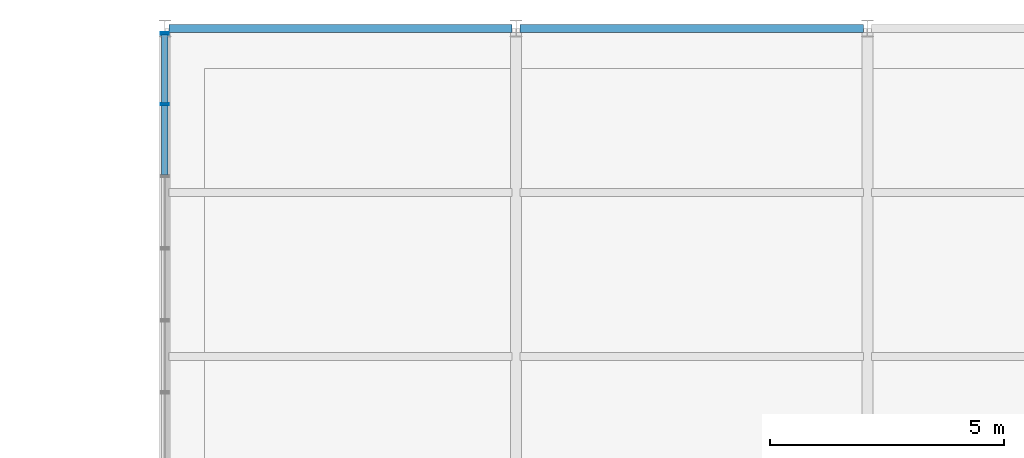
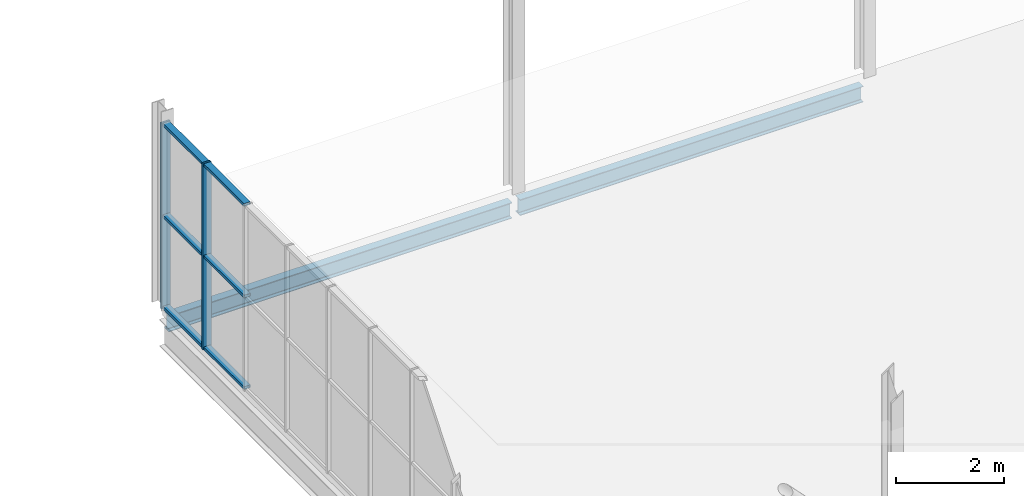
# One storey, part 43 of 104: 8 members, 2 beams, 1 element without a shape of its own.
"""IFC4 building model written with IfcOpenShell, lengths in metres."""

from ifc_helpers import new_model, si_unit, direction, frame, origin, origin_2d, place, context, subcontext, project, spatial, hollow_rectangle, i_section, extrude, material, layer, layer_set, material_profile, profile_set, type_object, element, aggregate, save


model = new_model("IFC4")

# Units and contexts
model_context = context("Model", 3, precision=1e-05, world=origin(), true_north=direction((0.0, 1.0)))
body_context = subcontext(model_context, "Body", "Model", "MODEL_VIEW")
ifc_project = project(units=[si_unit("LENGTHUNIT", "METRE"), si_unit("AREAUNIT", "SQUARE_METRE"), si_unit("VOLUMEUNIT", "CUBIC_METRE"), si_unit("PLANEANGLEUNIT", "RADIAN"), si_unit("MASSUNIT", "GRAM", prefix="KILO")], contexts=[model_context])

# Site, building, storey
site_placement = place(None, origin())
site = spatial("IfcSite", under=ifc_project, at=site_placement, CompositionType="ELEMENT")
building_placement = place(site_placement, origin())
building = spatial("IfcBuilding", under=site, at=building_placement, Name="Solvenia Promenade Tram Depot", CompositionType="ELEMENT")
storey_placement = place(building_placement, frame((0.0, 0.0, 9.0)))
storey = spatial("IfcBuildingStorey", under=building, at=storey_placement, Name="L02", CompositionType="ELEMENT", Elevation=9.0)

# Curtain wall, members
ifc_material_1 = material(Name="Anodized aluminium AW-6063 T6", Category="aluminium")
ifc_layer = layer(ifc_material_1, 0.14990234375, Name="Anodized aluminium AW-6063 T6", Category="aluminium")
ifc_layer_set = layer_set([ifc_layer], Name="Anodized aluminium AW-6063 T6")
curtain_wall_type = type_object("IfcCurtainWallType", Name="CW-Court-1500", PredefinedType="NOTDEFINED", material=ifc_layer_set)
curtain_wall_placement = place(storey_placement, origin())
curtain_wall = element("IfcCurtainWall", 1, at=curtain_wall_placement, inside=storey, type_object=curtain_wall_type, Name="Curtain Wall CW-V2W-L2-2", PredefinedType="NOTDEFINED")
ifc_material_profile_1 = material_profile(ifc_material_1, hollow_rectangle(XDim=0.179931640625, YDim=0.050048828125, WallThickness=0.00390625, at=origin_2d()), Name="ALU-M2", Category="aluminium")
ifc_profile_set_1 = profile_set([ifc_material_profile_1], Name="Anodized aluminium AW-6063 T6")
member_type_1 = type_object("IfcMemberType", Name="CWM-Mullion-2", PredefinedType="MULLION", material=ifc_profile_set_1)
member_1_placement = place(storey_placement, frame((105.0, 64.38232421875, 0.0), z_axis=(0.0, 0.0, 1.0), x_axis=(-1.0, 0.0, 0.0)))
member_1 = element("IfcMember", 2, at=member_1_placement, type_object=member_type_1, Name="CW-5 mullion 9", PredefinedType="MULLION", context=body_context, shape_type="SweptSolid", body=[
    extrude(hollow_rectangle(XDim=0.179931640625, YDim=0.050048828125, WallThickness=0.00390625, at=origin_2d()), origin(), (0.0, 0.0, 1.0), 4.199951171875),
])
member_2_placement = place(storey_placement, frame((105.0, 65.89501953125, 0.0), z_axis=(0.0, 0.0, 1.0), x_axis=(-1.0, 0.0, 0.0)))
member_2 = element("IfcMember", 3, at=member_2_placement, type_object=member_type_1, Name="CW-5 mullion 10", PredefinedType="MULLION", context=body_context, shape_type="SweptSolid", body=[
    extrude(hollow_rectangle(XDim=0.179931640625, YDim=0.050048828125, WallThickness=0.00390625, at=origin_2d()), origin(), (0.0, 0.0, 1.0), 4.199951171875),
])
ifc_material_profile_2 = material_profile(ifc_material_1, hollow_rectangle(XDim=0.139892578125, YDim=0.06494140625, WallThickness=0.00390625, at=origin_2d()), Name="ALU-T2", Category="aluminium")
ifc_profile_set_2 = profile_set([ifc_material_profile_2], Name="Anodized aluminium AW-6063 T6")
member_type_2 = type_object("IfcMemberType", Name="CWT-Transom-2", PredefinedType="USERDEFINED", material=ifc_profile_set_2)
member_3_placement = place(storey_placement, frame((105.0, 62.869384765625, 0.032470703125), z_axis=(0.0, 1.0, 0.0), x_axis=(-1.0, 0.0, 0.0)))
member_3 = element("IfcMember", 4, at=member_3_placement, type_object=member_type_2, Name="CW-5 transom 8.1", ObjectType="TRANSOM", PredefinedType="USERDEFINED", context=body_context, shape_type="SweptSolid", body=[
    extrude(hollow_rectangle(XDim=0.139892578125, YDim=0.06494140625, WallThickness=0.00390625, at=origin_2d()), origin(), (0.0, 0.0, 1.0), 1.48779296875),
])
member_4_placement = place(storey_placement, frame((105.0, 62.869384765625, 2.10009765625), z_axis=(0.0, 1.0, 0.0), x_axis=(-1.0, 0.0, 0.0)))
member_4 = element("IfcMember", 5, at=member_4_placement, type_object=member_type_2, Name="CW-5 transom 8.2", ObjectType="TRANSOM", PredefinedType="USERDEFINED", context=body_context, shape_type="SweptSolid", body=[
    extrude(hollow_rectangle(XDim=0.139892578125, YDim=0.06494140625, WallThickness=0.00390625, at=origin_2d()), origin(), (0.0, 0.0, 1.0), 1.48779296875),
])
member_5_placement = place(storey_placement, frame((105.0, 62.869384765625, 4.16748046875), z_axis=(0.0, 1.0, 0.0), x_axis=(-1.0, 0.0, 0.0)))
member_5 = element("IfcMember", 6, at=member_5_placement, type_object=member_type_2, Name="CW-5 transom 8.3", ObjectType="TRANSOM", PredefinedType="USERDEFINED", context=body_context, shape_type="SweptSolid", body=[
    extrude(hollow_rectangle(XDim=0.139892578125, YDim=0.06494140625, WallThickness=0.00390625, at=origin_2d()), origin(), (0.0, 0.0, 1.0), 1.48779296875),
])
member_6_placement = place(storey_placement, frame((105.0, 64.4072265625, 0.032470703125), z_axis=(0.0, 1.0, 0.0), x_axis=(-1.0, 0.0, 0.0)))
member_6 = element("IfcMember", 7, at=member_6_placement, type_object=member_type_2, Name="CW-5 transom 9.1", ObjectType="TRANSOM", PredefinedType="USERDEFINED", context=body_context, shape_type="SweptSolid", body=[
    extrude(hollow_rectangle(XDim=0.139892578125, YDim=0.06494140625, WallThickness=0.00390625, at=origin_2d()), origin(), (0.0, 0.0, 1.0), 1.462890625),
])
member_7_placement = place(storey_placement, frame((105.0, 64.4072265625, 2.10009765625), z_axis=(0.0, 1.0, 0.0), x_axis=(-1.0, 0.0, 0.0)))
member_7 = element("IfcMember", 8, at=member_7_placement, type_object=member_type_2, Name="CW-5 transom 9.2", ObjectType="TRANSOM", PredefinedType="USERDEFINED", context=body_context, shape_type="SweptSolid", body=[
    extrude(hollow_rectangle(XDim=0.139892578125, YDim=0.06494140625, WallThickness=0.00390625, at=origin_2d()), origin(), (0.0, 0.0, 1.0), 1.462890625),
])
member_8_placement = place(storey_placement, frame((105.0, 64.4072265625, 4.16748046875), z_axis=(0.0, 1.0, 0.0), x_axis=(-1.0, 0.0, 0.0)))
member_8 = element("IfcMember", 9, at=member_8_placement, type_object=member_type_2, Name="CW-5 transom 9.3", ObjectType="TRANSOM", PredefinedType="USERDEFINED", context=body_context, shape_type="SweptSolid", body=[
    extrude(hollow_rectangle(XDim=0.139892578125, YDim=0.06494140625, WallThickness=0.00390625, at=origin_2d()), origin(), (0.0, 0.0, 1.0), 1.462890625),
])
aggregate(curtain_wall, [member_1, member_2, member_3, member_4, member_5, member_6, member_7, member_8])

# Beams
ifc_material_2 = material(Name="Structural steel ASTM A992 Gr. 50", Category="steel")
ifc_material_profile_3 = material_profile(ifc_material_2, i_section(OverallWidth=0.172119140625, OverallDepth=0.35791015625, WebThickness=0.0078125, FlangeThickness=0.01318359375, FilletRadius=0.010986328125, at=origin_2d()), Name="W360x57", Category="steel")
ifc_profile_set_3 = profile_set([ifc_material_profile_3], Name="Structural steel ASTM A992 Gr. 50")
beam_type = type_object("IfcBeamType", Name="Spandrel-W360x57", PredefinedType="SPANDREL", material=ifc_profile_set_3)
for number, where, z_axis, x_axis, name in (
    (10, (105.0849609375, 66.0, -0.4189453125), (1.0, 0.0, 0.0), (0.0, 1.0, 0.0), "Perimeter Spandrel BM-L02-0462"),
    (11, (112.5849609375, 66.0, -0.4189453125), (1.0, 0.0, 0.0), (0.0, 1.0, 0.0), "Perimeter Spandrel BM-L02-0463"),
):
    element("IfcBeam", number, at=place(storey_placement, frame(where, z_axis=z_axis, x_axis=x_axis)), inside=storey, type_object=beam_type, Name=name, PredefinedType="SPANDREL", context=body_context, shape_type="SweptSolid", body=[
        extrude(i_section(OverallWidth=0.172119140625, OverallDepth=0.35791015625, WebThickness=0.0078125, FlangeThickness=0.01318359375, FilletRadius=0.010986328125, at=origin_2d()), origin(), (0.0, 0.0, 1.0), 7.330078125),
    ])

save(model, "model.ifc")
